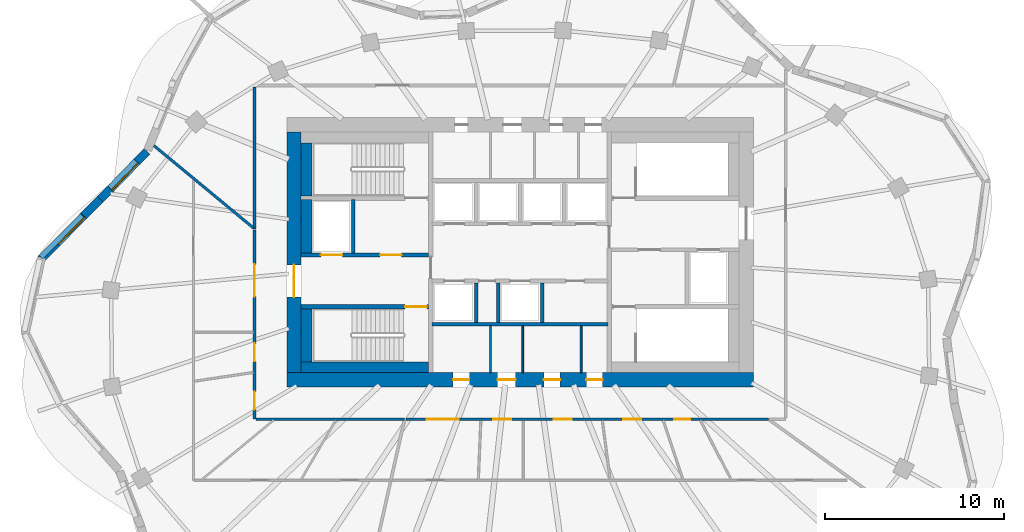
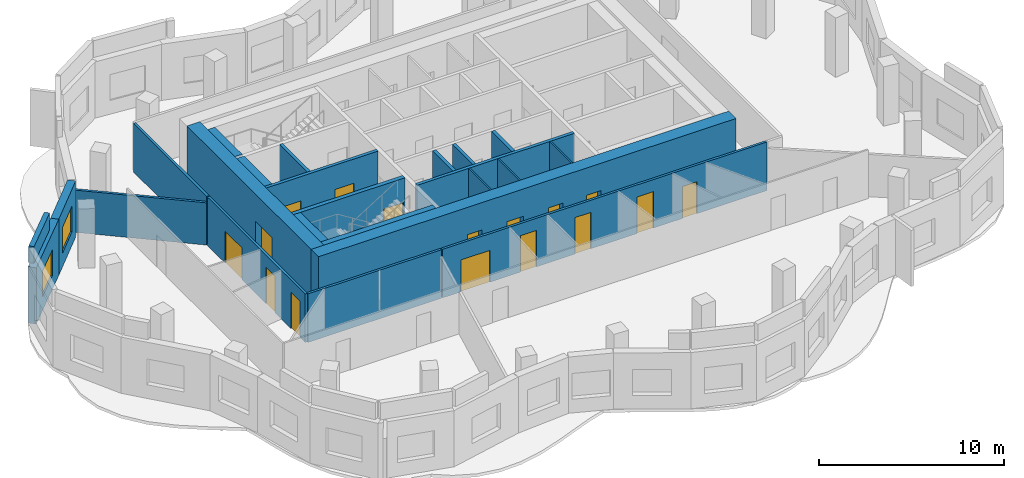
# One storey, part 4 of 9: 24 walls, 16 doors, 2 windows, 18 openings.
"""IFC4 building model written with IfcOpenShell, lengths in metres."""

from ifc_helpers import new_model, si_unit, direction, frame, frame_2d, origin, place, context, subcontext, project, spatial, rectangle, extrude, material, layer, layer_set, type_object, element, fill, save


model = new_model("IFC4")

# Units and contexts
model_context = context("Model", 3, precision=1e-05, world=origin(), true_north=direction((0.0, 1.0)))
body_context = subcontext(model_context, "Body", "Model", "MODEL_VIEW")
ifc_project = project(units=[si_unit("LENGTHUNIT", "METRE"), si_unit("AREAUNIT", "SQUARE_METRE"), si_unit("VOLUMEUNIT", "CUBIC_METRE"), si_unit("PLANEANGLEUNIT", "RADIAN"), si_unit("MASSUNIT", "GRAM", prefix="KILO")], contexts=[model_context])

# Site, building, storey
site_placement = place(None, origin())
site = spatial("IfcSite", under=ifc_project, at=site_placement, CompositionType="ELEMENT")
building_placement = place(site_placement, origin())
building = spatial("IfcBuilding", under=site, at=building_placement, Name="Rubra Terraces Tower", CompositionType="ELEMENT")
storey_placement = place(building_placement, frame((0.0, 0.0, 303.89990234375)))
storey = spatial("IfcBuildingStorey", under=building, at=storey_placement, Name="L75", CompositionType="ELEMENT", Elevation=303.89990234375)

# Wall, opening, window
ifc_material_1 = material(Name="Brick masonry red-brown", Category="masonry")
ifc_layer_1 = layer(ifc_material_1, 0.449951171875)
ifc_layer_set_1 = layer_set([ifc_layer_1], Name="Brick masonry red-brown")
wall_type_1 = type_object("IfcWallType", Name="Brick facade wall 450", PredefinedType="SOLIDWALL", material=ifc_layer_set_1)
wall_1_placement = place(storey_placement, frame((-20.795654296875, 10.1240234375, 0.0), z_axis=(0.0, 0.0, 1.0), x_axis=(-0.697121527554, -0.716952980203, 0.0)))
wall_1 = element("IfcWall", 1, at=wall_1_placement, inside=storey, type_object=wall_type_1, Name="Facade wall L75 bay 18", PredefinedType="SOLIDWALL", context=body_context, shape_type="SweptSolid", body=[
    extrude(rectangle(XDim=3.7177734375, YDim=0.449951171875, at=frame_2d((1.85888671875, 0.0))), origin(), (0.0, 0.0, 1.0), 3.7001953125),
])
opening_1_placement = place(wall_1_placement, frame((0.808837890625, 0.0, 0.89990234375)))
opening_1 = element("IfcOpeningElement", 2, at=opening_1_placement, cuts=wall_1, Name="Opening W1Y", PredefinedType="OPENING", context=body_context, shape_type="SweptSolid", body=[
    extrude(rectangle(XDim=2.10009765625, YDim=1.699951171875, at=frame_2d((1.050048828125, 0.85009765625))), frame((0.0, 0.23486328125, 0.0), z_axis=(0.0, -1.0, 0.0), x_axis=(1.0, 0.0, 0.0)), (0.0, 0.0, 1.0), 0.469970703125),
])
ifc_material_2 = material(Name="Clear glass in aluminium frame", Category="aluminium")
window_type = type_object("IfcWindowType", Name="Fixed deep-set window under crown ring girder 2100 x 1700", PartitioningType="SINGLE_PANEL", PredefinedType="WINDOW", material=ifc_material_2)
window_1_placement = place(opening_1_placement, origin())
window_1 = element("IfcWindow", 3, at=window_1_placement, inside=storey, type_object=window_type, Name="Window L75 bay 18", OverallHeight=1.699951171875, OverallWidth=2.10009765625, PartitioningType="SINGLE_PANEL", PredefinedType="WINDOW", context=body_context, shape_type="SweptSolid", body=[
    extrude(rectangle(XDim=2.10009765625, YDim=1.699951171875, at=frame_2d((1.050048828125, 0.85009765625))), frame((0.0, 0.135009765625, 0.0), z_axis=(0.0, -1.0, 0.0), x_axis=(1.0, 0.0, 0.0)), (0.0, 0.0, 1.0), 0.06005859375),
])
fill(opening_1, window_1)

wall_2_placement = place(storey_placement, frame((-23.389892578125, 7.45556640625, 0.0), z_axis=(0.0, 0.0, 1.0), x_axis=(-0.705349231702, -0.708859973011, 0.0)))
wall_2 = element("IfcWall", 4, at=wall_2_placement, inside=storey, type_object=wall_type_1, Name="Facade wall L75 bay 19", PredefinedType="SOLIDWALL", context=body_context, shape_type="SweptSolid", body=[
    extrude(rectangle(XDim=4.728759765625, YDim=0.449951171875, at=frame_2d((2.3642578125, 0.0))), origin(), (0.0, 0.0, 1.0), 3.7001953125),
])
opening_2_placement = place(wall_2_placement, frame((1.314453125, 0.0, 0.89990234375)))
opening_2 = element("IfcOpeningElement", 5, at=opening_2_placement, cuts=wall_2, Name="Opening W1Y", PredefinedType="OPENING", context=body_context, shape_type="SweptSolid", body=[
    extrude(rectangle(XDim=2.10009765625, YDim=1.699951171875, at=frame_2d((1.050048828125, 0.85009765625))), frame((0.0, 0.23486328125, 0.0), z_axis=(0.0, -1.0, 0.0), x_axis=(1.0, 0.0, 0.0)), (0.0, 0.0, 1.0), 0.469970703125),
])
window_2_placement = place(opening_2_placement, origin())
window_2 = element("IfcWindow", 6, at=window_2_placement, inside=storey, type_object=window_type, Name="Window L75 bay 19", OverallHeight=1.699951171875, OverallWidth=2.10009765625, PartitioningType="SINGLE_PANEL", PredefinedType="WINDOW", context=body_context, shape_type="SweptSolid", body=[
    extrude(rectangle(XDim=2.10009765625, YDim=1.699951171875, at=frame_2d((1.050048828125, 0.85009765625))), frame((0.0, 0.135009765625, 0.0), z_axis=(0.0, -1.0, 0.0), x_axis=(1.0, 0.0, 0.0)), (0.0, 0.0, 1.0), 0.06005859375),
])
fill(opening_2, window_2)

# Wall
ifc_layer_2 = layer(ifc_material_1, 0.300048828125)
ifc_layer_set_2 = layer_set([ifc_layer_2], Name="Brick masonry red-brown")
wall_type_2 = type_object("IfcWallType", Name="Brick parapet 300", PredefinedType="PARAPET", material=ifc_layer_set_2)
wall_3_placement = place(storey_placement, frame((-24.392333984375, 6.5546875, 3.900146484375), z_axis=(0.0, 0.0, 1.0), x_axis=(-0.705312482078, -0.708896538731, 0.0)))
element("IfcWall", 7, at=wall_3_placement, inside=storey, type_object=wall_type_2, Name="Parapet L75 bay 19", PredefinedType="PARAPET", context=body_context, shape_type="SweptSolid", body=[
    extrude(rectangle(XDim=3.269775390625, YDim=0.300048828125, at=frame_2d((1.634765625, 0.0))), origin(), (0.0, 0.0, 1.0), 1.099853515625),
])

# Wall, openings, doors
ifc_material_3 = material(Name="Concrete C50", Category="concrete")
ifc_layer_3 = layer(ifc_material_3, 0.800048828125)
ifc_layer_set_3 = layer_set([ifc_layer_3], Name="Concrete C50")
wall_type_3 = type_object("IfcWallType", Name="CORE WALL 800 C50", PredefinedType="SHEAR", material=ifc_layer_set_3)
wall_4_placement = place(storey_placement, frame((-13.0, -2.60009765625, 0.0), z_axis=(0.0, 0.0, 1.0), x_axis=(1.0, 0.0, 0.0)))
wall_4 = element("IfcWall", 8, at=wall_4_placement, inside=storey, type_object=wall_type_3, Name="CORE WALL S L75", PredefinedType="SHEAR", context=body_context, shape_type="SweptSolid", body=[
    extrude(rectangle(XDim=26.0, YDim=0.800048828125, at=frame_2d((13.0, 0.0))), origin(), (0.0, 0.0, 1.0), 3.900146484375),
])
opening_3_placement = place(wall_4_placement, frame((9.27490234375, 0.0, 0.0)))
opening_3 = element("IfcOpeningElement", 9, at=opening_3_placement, cuts=wall_4, Name="Opening L75.C21", PredefinedType="OPENING", context=body_context, shape_type="SweptSolid", body=[
    extrude(rectangle(XDim=0.89990234375, YDim=2.10009765625, at=frame_2d((0.449951171875, 1.050048828125))), frame((0.0, 0.409912109375, 0.0), z_axis=(0.0, -1.0, 0.0), x_axis=(1.0, 0.0, 0.0)), (0.0, 0.0, 1.0), 0.820068359375),
])
opening_4_placement = place(wall_4_placement, frame((11.75, 0.0, 0.0)))
opening_4 = element("IfcOpeningElement", 10, at=opening_4_placement, cuts=wall_4, Name="Opening L75.C22", PredefinedType="OPENING", context=body_context, shape_type="SweptSolid", body=[
    extrude(rectangle(XDim=1.0, YDim=2.10009765625, at=frame_2d((0.5, 1.050048828125))), frame((0.0, 0.409912109375, 0.0), z_axis=(0.0, -1.0, 0.0), x_axis=(1.0, 0.0, 0.0)), (0.0, 0.0, 1.0), 0.820068359375),
])
opening_5_placement = place(wall_4_placement, frame((14.324951171875, 0.0, 0.0)))
opening_5 = element("IfcOpeningElement", 11, at=opening_5_placement, cuts=wall_4, Name="Opening L75.C23", PredefinedType="OPENING", context=body_context, shape_type="SweptSolid", body=[
    extrude(rectangle(XDim=0.89990234375, YDim=2.10009765625, at=frame_2d((0.449951171875, 1.050048828125))), frame((0.0, 0.409912109375, 0.0), z_axis=(0.0, -1.0, 0.0), x_axis=(1.0, 0.0, 0.0)), (0.0, 0.0, 1.0), 0.820068359375),
])
opening_6_placement = place(wall_4_placement, frame((16.699951171875, 0.0, 0.0)))
opening_6 = element("IfcOpeningElement", 12, at=opening_6_placement, cuts=wall_4, Name="Opening L75.C24", PredefinedType="OPENING", context=body_context, shape_type="SweptSolid", body=[
    extrude(rectangle(XDim=0.89990234375, YDim=2.10009765625, at=frame_2d((0.449951171875, 1.050048828125))), frame((0.0, 0.409912109375, 0.0), z_axis=(0.0, -1.0, 0.0), x_axis=(1.0, 0.0, 0.0)), (0.0, 0.0, 1.0), 0.820068359375),
])
ifc_material_4 = material(Name="Painted steel", Category="steel")
door_type_1 = type_object("IfcDoorType", Name="Fire door 1000x2100 single", OperationType="NOTDEFINED", PredefinedType="DOOR", material=ifc_material_4)
door_1_placement = place(opening_4_placement, origin())
door_1 = element("IfcDoor", 13, at=door_1_placement, inside=storey, type_object=door_type_1, Name="Accessible WC door", OperationType="SINGLE_SWING_RIGHT", OverallHeight=2.10009765625, OverallWidth=1.0, PredefinedType="DOOR", context=body_context, shape_type="SweptSolid", body=[
    extrude(rectangle(XDim=1.0, YDim=2.10009765625, at=frame_2d((0.5, 1.050048828125))), frame((0.0, 0.02490234375, 0.0), z_axis=(0.0, -1.0, 0.0), x_axis=(1.0, 0.0, 0.0)), (0.0, 0.0, 1.0), 0.050048828125),
])
fill(opening_4, door_1)
door_type_2 = type_object("IfcDoorType", Name="Fire door 900x2100 single", OperationType="NOTDEFINED", PredefinedType="DOOR", material=ifc_material_4)
door_2_placement = place(opening_3_placement, origin())
door_2 = element("IfcDoor", 14, at=door_2_placement, inside=storey, type_object=door_type_2, Name="Gents WC door", OperationType="SINGLE_SWING_LEFT", OverallHeight=2.10009765625, OverallWidth=0.89990234375, PredefinedType="DOOR", context=body_context, shape_type="SweptSolid", body=[
    extrude(rectangle(XDim=0.89990234375, YDim=2.10009765625, at=frame_2d((0.449951171875, 1.050048828125))), frame((0.0, 0.02490234375, 0.0), z_axis=(0.0, -1.0, 0.0), x_axis=(1.0, 0.0, 0.0)), (0.0, 0.0, 1.0), 0.050048828125),
])
fill(opening_3, door_2)
door_3_placement = place(opening_5_placement, origin())
door_3 = element("IfcDoor", 15, at=door_3_placement, inside=storey, type_object=door_type_2, Name="Ladies WC door", OperationType="SINGLE_SWING_LEFT", OverallHeight=2.10009765625, OverallWidth=0.89990234375, PredefinedType="DOOR", context=body_context, shape_type="SweptSolid", body=[
    extrude(rectangle(XDim=0.89990234375, YDim=2.10009765625, at=frame_2d((0.449951171875, 1.050048828125))), frame((0.0, 0.02490234375, 0.0), z_axis=(0.0, -1.0, 0.0), x_axis=(1.0, 0.0, 0.0)), (0.0, 0.0, 1.0), 0.050048828125),
])
fill(opening_5, door_3)
door_4_placement = place(opening_6_placement, origin())
door_4 = element("IfcDoor", 16, at=door_4_placement, inside=storey, type_object=door_type_2, Name="Cleaner's store door", OperationType="SINGLE_SWING_RIGHT", OverallHeight=2.10009765625, OverallWidth=0.89990234375, PredefinedType="DOOR", context=body_context, shape_type="SweptSolid", body=[
    extrude(rectangle(XDim=0.89990234375, YDim=2.10009765625, at=frame_2d((0.449951171875, 1.050048828125))), frame((0.0, 0.02490234375, 0.0), z_axis=(0.0, -1.0, 0.0), x_axis=(1.0, 0.0, 0.0)), (0.0, 0.0, 1.0), 0.050048828125),
])
fill(opening_6, door_4)

# Wall, opening, door
wall_5_placement = place(storey_placement, frame((-12.60009765625, -2.199951171875, 0.0), z_axis=(0.0, 0.0, 1.0), x_axis=(0.0, 1.0, 0.0)))
wall_5 = element("IfcWall", 17, at=wall_5_placement, inside=storey, type_object=wall_type_3, Name="CORE WALL W L75", PredefinedType="SHEAR", context=body_context, shape_type="SweptSolid", body=[
    extrude(rectangle(XDim=13.39990234375, YDim=0.800048828125, at=frame_2d((6.699951171875, 0.0))), origin(), (0.0, 0.0, 1.0), 3.900146484375),
])
opening_7_placement = place(wall_5_placement, frame((4.199951171875, 0.0, 0.0)))
opening_7 = element("IfcOpeningElement", 18, at=opening_7_placement, cuts=wall_5, Name="Opening L75.C01", PredefinedType="OPENING", context=body_context, shape_type="SweptSolid", body=[
    extrude(rectangle(XDim=1.800048828125, YDim=2.10009765625, at=frame_2d((0.89990234375, 1.050048828125))), frame((0.0, 0.409912109375, 0.0), z_axis=(0.0, -1.0, 0.0), x_axis=(1.0, 0.0, 0.0)), (0.0, 0.0, 1.0), 0.820068359375),
])
door_type_3 = type_object("IfcDoorType", Name="Fire door 1800x2100 double", OperationType="NOTDEFINED", PredefinedType="DOOR", material=ifc_material_4)
door_5_placement = place(opening_7_placement, origin())
door_5 = element("IfcDoor", 19, at=door_5_placement, inside=storey, type_object=door_type_3, Name="Core entrance door FF1", OperationType="DOUBLE_DOOR_SINGLE_SWING", OverallHeight=2.10009765625, OverallWidth=1.800048828125, PredefinedType="DOOR", context=body_context, shape_type="SweptSolid", body=[
    extrude(rectangle(XDim=1.800048828125, YDim=2.10009765625, at=frame_2d((0.89990234375, 1.050048828125))), frame((0.0, 0.02490234375, 0.0), z_axis=(0.0, -1.0, 0.0), x_axis=(1.0, 0.0, 0.0)), (0.0, 0.0, 1.0), 0.050048828125),
])
fill(opening_7, door_5)

# Wall
ifc_material_5 = material(Name="Plasterboard on steel stud, mineral wool infill", Category="steel")
ifc_layer_4 = layer(ifc_material_5, 0.14990234375)
ifc_layer_set_4 = layer_set([ifc_layer_4], Name="Plasterboard on steel stud, mineral wool infill")
wall_type_4 = type_object("IfcWallType", Name="CORRIDOR PARTITION 150", PredefinedType="PARTITIONING", material=ifc_layer_set_4)
wall_6_placement = place(storey_placement, frame((-14.800048828125, 13.72509765625, 0.0), z_axis=(0.0, 0.0, 1.0), x_axis=(0.0, -1.0, 0.0)))
element("IfcWall", 20, at=wall_6_placement, inside=storey, type_object=wall_type_4, Name="PARTITION", PredefinedType="PARTITIONING", context=body_context, shape_type="SweptSolid", body=[
    extrude(rectangle(XDim=7.916259765625, YDim=0.14990234375, at=frame_2d((3.9580078125, 0.0))), origin(), (0.0, 0.0, 1.0), 3.197998046875),
])

# Wall, openings, doors
wall_7_placement = place(storey_placement, frame((-14.800048828125, 5.73388671875, 0.0), z_axis=(0.0, 0.0, 1.0), x_axis=(0.0, -1.0, 0.0)))
wall_7 = element("IfcWall", 21, at=wall_7_placement, inside=storey, type_object=wall_type_4, Name="PARTITION", PredefinedType="PARTITIONING", context=body_context, shape_type="SweptSolid", body=[
    extrude(rectangle(XDim=10.533935546875, YDim=0.14990234375, at=frame_2d((5.26708984375, 0.0))), origin(), (0.0, 0.0, 1.0), 3.197998046875),
])
opening_8_placement = place(wall_7_placement, frame((1.907958984375, 0.0, 0.0)))
opening_8 = element("IfcOpeningElement", 22, at=opening_8_placement, cuts=wall_7, Name="Opening 75-102", PredefinedType="OPENING", context=body_context, shape_type="SweptSolid", body=[
    extrude(rectangle(XDim=1.800048828125, YDim=2.10009765625, at=frame_2d((0.89990234375, 1.050048828125))), frame((0.0, 0.0849609375, 0.0), z_axis=(0.0, -1.0, 0.0), x_axis=(1.0, 0.0, 0.0)), (0.0, 0.0, 1.0), 0.169921875),
])
opening_9_placement = place(wall_7_placement, frame((6.305908203125, 0.0, 0.0)))
opening_9 = element("IfcOpeningElement", 23, at=opening_9_placement, cuts=wall_7, Name="Opening 75-104", PredefinedType="OPENING", context=body_context, shape_type="SweptSolid", body=[
    extrude(rectangle(XDim=1.0, YDim=2.39990234375, at=frame_2d((0.5, 1.199951171875))), frame((0.0, 0.0849609375, 0.0), z_axis=(0.0, -1.0, 0.0), x_axis=(1.0, 0.0, 0.0)), (0.0, 0.0, 1.0), 0.169921875),
])
opening_10_placement = place(wall_7_placement, frame((9.0, 0.0, 0.0)))
opening_10 = element("IfcOpeningElement", 24, at=opening_10_placement, cuts=wall_7, Name="Opening 75-105", PredefinedType="OPENING", context=body_context, shape_type="SweptSolid", body=[
    extrude(rectangle(XDim=1.0, YDim=2.39990234375, at=frame_2d((0.5, 1.199951171875))), frame((0.0, 0.0849609375, 0.0), z_axis=(0.0, -1.0, 0.0), x_axis=(1.0, 0.0, 0.0)), (0.0, 0.0, 1.0), 0.169921875),
])
ifc_material_6 = material(Name="Glazed aluminium meeting door leaf", Category="aluminium")
door_type_4 = type_object("IfcDoorType", Name="MEETING ROOM GLAZED DOOR 1000 X 2400", OperationType="SINGLE_SWING_LEFT", PredefinedType="DOOR", material=ifc_material_6)
door_6_placement = place(opening_9_placement, origin())
door_6 = element("IfcDoor", 25, at=door_6_placement, inside=storey, type_object=door_type_4, Name="DOOR 75-104", OperationType="SINGLE_SWING_RIGHT", OverallHeight=2.39990234375, OverallWidth=1.0, PredefinedType="DOOR", context=body_context, shape_type="SweptSolid", body=[
    extrude(rectangle(XDim=1.0, YDim=2.39990234375, at=frame_2d((0.5, 1.199951171875))), frame((0.0, 0.02490234375, 0.0), z_axis=(0.0, -1.0, 0.0), x_axis=(1.0, 0.0, 0.0)), (0.0, 0.0, 1.0), 0.050048828125),
])
fill(opening_9, door_6)
door_7_placement = place(opening_10_placement, origin())
door_7 = element("IfcDoor", 26, at=door_7_placement, inside=storey, type_object=door_type_4, Name="DOOR 75-105", OperationType="SINGLE_SWING_RIGHT", OverallHeight=2.39990234375, OverallWidth=1.0, PredefinedType="DOOR", context=body_context, shape_type="SweptSolid", body=[
    extrude(rectangle(XDim=1.0, YDim=2.39990234375, at=frame_2d((0.5, 1.199951171875))), frame((0.0, 0.02490234375, 0.0), z_axis=(0.0, -1.0, 0.0), x_axis=(1.0, 0.0, 0.0)), (0.0, 0.0, 1.0), 0.050048828125),
])
fill(opening_10, door_7)
ifc_material_7 = material(Name="Painted timber door leaf, double", Category="wood")
door_type_5 = type_object("IfcDoorType", Name="ROOM DOUBLE DOOR 1800 X 2100", OperationType="DOUBLE_DOOR_SINGLE_SWING", PredefinedType="DOOR", material=ifc_material_7)
door_8_placement = place(opening_8_placement, origin())
door_8 = element("IfcDoor", 27, at=door_8_placement, inside=storey, type_object=door_type_5, Name="DOOR 75-102", OperationType="DOUBLE_DOOR_SINGLE_SWING", OverallHeight=2.10009765625, OverallWidth=1.800048828125, PredefinedType="DOOR", context=body_context, shape_type="SweptSolid", body=[
    extrude(rectangle(XDim=1.800048828125, YDim=2.10009765625, at=frame_2d((0.89990234375, 1.050048828125))), frame((0.0, 0.02490234375, 0.0), z_axis=(0.0, -1.0, 0.0), x_axis=(1.0, 0.0, 0.0)), (0.0, 0.0, 1.0), 0.050048828125),
])
fill(opening_8, door_8)

# Wall
wall_8_placement = place(storey_placement, frame((-14.72509765625, -4.800048828125, 0.0), z_axis=(0.0, 0.0, 1.0), x_axis=(1.0, 0.0, 0.0)))
element("IfcWall", 28, at=wall_8_placement, inside=storey, type_object=wall_type_4, Name="PARTITION", PredefinedType="PARTITIONING", context=body_context, shape_type="SweptSolid", body=[
    extrude(rectangle(XDim=8.288330078125, YDim=0.14990234375, at=frame_2d((4.14404296875, 0.0))), origin(), (0.0, 0.0, 1.0), 3.197998046875),
])

# Wall, openings, doors
wall_9_placement = place(storey_placement, frame((-6.36181640625, -4.800048828125, 0.0), z_axis=(0.0, 0.0, 1.0), x_axis=(1.0, 0.0, 0.0)))
wall_9 = element("IfcWall", 29, at=wall_9_placement, inside=storey, type_object=wall_type_4, Name="PARTITION", PredefinedType="PARTITIONING", context=body_context, shape_type="SweptSolid", body=[
    extrude(rectangle(XDim=20.197265625, YDim=0.14990234375, at=frame_2d((10.0986328125, 0.0))), origin(), (0.0, 0.0, 1.0), 3.197998046875),
])
opening_11_placement = place(wall_9_placement, frame((1.152099609375, 0.0, 0.0)))
opening_11 = element("IfcOpeningElement", 30, at=opening_11_placement, cuts=wall_9, Name="Opening 75-108", PredefinedType="OPENING", context=body_context, shape_type="SweptSolid", body=[
    extrude(rectangle(XDim=1.800048828125, YDim=2.10009765625, at=frame_2d((0.89990234375, 1.050048828125))), frame((0.0, 0.0849609375, 0.0), z_axis=(0.0, -1.0, 0.0), x_axis=(1.0, 0.0, 0.0)), (0.0, 0.0, 1.0), 0.169921875),
])
opening_12_placement = place(wall_9_placement, frame((4.85693359375, 0.0, 0.0)))
opening_12 = element("IfcOpeningElement", 31, at=opening_12_placement, cuts=wall_9, Name="Opening 75-110", PredefinedType="OPENING", context=body_context, shape_type="SweptSolid", body=[
    extrude(rectangle(XDim=1.0, YDim=2.39990234375, at=frame_2d((0.5, 1.199951171875))), frame((0.0, 0.0849609375, 0.0), z_axis=(0.0, -1.0, 0.0), x_axis=(1.0, 0.0, 0.0)), (0.0, 0.0, 1.0), 0.169921875),
])
opening_13_placement = place(wall_9_placement, frame((8.235107421875, 0.0, 0.0)))
opening_13 = element("IfcOpeningElement", 32, at=opening_13_placement, cuts=wall_9, Name="Opening 75-111", PredefinedType="OPENING", context=body_context, shape_type="SweptSolid", body=[
    extrude(rectangle(XDim=1.0, YDim=2.39990234375, at=frame_2d((0.5, 1.199951171875))), frame((0.0, 0.0849609375, 0.0), z_axis=(0.0, -1.0, 0.0), x_axis=(1.0, 0.0, 0.0)), (0.0, 0.0, 1.0), 0.169921875),
])
opening_14_placement = place(wall_9_placement, frame((12.123046875, 0.0, 0.0)))
opening_14 = element("IfcOpeningElement", 33, at=opening_14_placement, cuts=wall_9, Name="Opening 75-112", PredefinedType="OPENING", context=body_context, shape_type="SweptSolid", body=[
    extrude(rectangle(XDim=1.0, YDim=2.39990234375, at=frame_2d((0.5, 1.199951171875))), frame((0.0, 0.0849609375, 0.0), z_axis=(0.0, -1.0, 0.0), x_axis=(1.0, 0.0, 0.0)), (0.0, 0.0, 1.0), 0.169921875),
])
opening_15_placement = place(wall_9_placement, frame((14.949951171875, 0.0, 0.0)))
opening_15 = element("IfcOpeningElement", 34, at=opening_15_placement, cuts=wall_9, Name="Opening 75-116", PredefinedType="OPENING", context=body_context, shape_type="SweptSolid", body=[
    extrude(rectangle(XDim=0.89990234375, YDim=2.10009765625, at=frame_2d((0.449951171875, 1.050048828125))), frame((0.0, 0.0849609375, 0.0), z_axis=(0.0, -1.0, 0.0), x_axis=(1.0, 0.0, 0.0)), (0.0, 0.0, 1.0), 0.169921875),
])
ifc_material_8 = material(Name="Painted timber door leaf", Category="wood")
door_type_6 = type_object("IfcDoorType", Name="BATHROOM DOOR 900 X 2100", OperationType="SINGLE_SWING_LEFT", PredefinedType="DOOR", material=ifc_material_8)
door_9_placement = place(opening_15_placement, origin())
door_9 = element("IfcDoor", 35, at=door_9_placement, inside=storey, type_object=door_type_6, Name="DOOR 75-116", OperationType="SINGLE_SWING_RIGHT", OverallHeight=2.10009765625, OverallWidth=0.89990234375, PredefinedType="DOOR", context=body_context, shape_type="SweptSolid", body=[
    extrude(rectangle(XDim=0.89990234375, YDim=2.10009765625, at=frame_2d((0.449951171875, 1.050048828125))), frame((0.0, 0.02490234375, 0.0), z_axis=(0.0, -1.0, 0.0), x_axis=(1.0, 0.0, 0.0)), (0.0, 0.0, 1.0), 0.050048828125),
])
fill(opening_15, door_9)
door_10_placement = place(opening_12_placement, origin())
door_10 = element("IfcDoor", 36, at=door_10_placement, inside=storey, type_object=door_type_4, Name="DOOR 75-110", OperationType="SINGLE_SWING_RIGHT", OverallHeight=2.39990234375, OverallWidth=1.0, PredefinedType="DOOR", context=body_context, shape_type="SweptSolid", body=[
    extrude(rectangle(XDim=1.0, YDim=2.39990234375, at=frame_2d((0.5, 1.199951171875))), frame((0.0, 0.02490234375, 0.0), z_axis=(0.0, -1.0, 0.0), x_axis=(1.0, 0.0, 0.0)), (0.0, 0.0, 1.0), 0.050048828125),
])
fill(opening_12, door_10)
door_11_placement = place(opening_13_placement, origin())
door_11 = element("IfcDoor", 37, at=door_11_placement, inside=storey, type_object=door_type_4, Name="DOOR 75-111", OperationType="SINGLE_SWING_RIGHT", OverallHeight=2.39990234375, OverallWidth=1.0, PredefinedType="DOOR", context=body_context, shape_type="SweptSolid", body=[
    extrude(rectangle(XDim=1.0, YDim=2.39990234375, at=frame_2d((0.5, 1.199951171875))), frame((0.0, 0.02490234375, 0.0), z_axis=(0.0, -1.0, 0.0), x_axis=(1.0, 0.0, 0.0)), (0.0, 0.0, 1.0), 0.050048828125),
])
fill(opening_13, door_11)
door_12_placement = place(opening_14_placement, origin())
door_12 = element("IfcDoor", 38, at=door_12_placement, inside=storey, type_object=door_type_4, Name="DOOR 75-112", OperationType="SINGLE_SWING_RIGHT", OverallHeight=2.39990234375, OverallWidth=1.0, PredefinedType="DOOR", context=body_context, shape_type="SweptSolid", body=[
    extrude(rectangle(XDim=1.0, YDim=2.39990234375, at=frame_2d((0.5, 1.199951171875))), frame((0.0, 0.02490234375, 0.0), z_axis=(0.0, -1.0, 0.0), x_axis=(1.0, 0.0, 0.0)), (0.0, 0.0, 1.0), 0.050048828125),
])
fill(opening_14, door_12)
door_13_placement = place(opening_11_placement, origin())
door_13 = element("IfcDoor", 39, at=door_13_placement, inside=storey, type_object=door_type_5, Name="DOOR 75-108", OperationType="DOUBLE_DOOR_SINGLE_SWING", OverallHeight=2.10009765625, OverallWidth=1.800048828125, PredefinedType="DOOR", context=body_context, shape_type="SweptSolid", body=[
    extrude(rectangle(XDim=1.800048828125, YDim=2.10009765625, at=frame_2d((0.89990234375, 1.050048828125))), frame((0.0, 0.02490234375, 0.0), z_axis=(0.0, -1.0, 0.0), x_axis=(1.0, 0.0, 0.0)), (0.0, 0.0, 1.0), 0.050048828125),
])
fill(opening_11, door_13)

# Walls
ifc_material_9 = material(Name="Concrete C40", Category="concrete")
ifc_layer_5 = layer(ifc_material_9, 0.60009765625)
ifc_layer_set_5 = layer_set([ifc_layer_5], Name="Concrete C40")
wall_type_5 = type_object("IfcWallType", Name="Core lining wall 600 concrete", PredefinedType="SOLIDWALL", material=ifc_layer_set_5)
wall_10_placement = place(storey_placement, frame((-12.199951171875, -1.89990234375, 0.0), z_axis=(0.0, 0.0, 1.0), x_axis=(1.0, 0.0, 0.0)))
element("IfcWall", 40, at=wall_10_placement, inside=storey, type_object=wall_type_5, Name="CORE LINING WALL L75", PredefinedType="SOLIDWALL", context=body_context, shape_type="SweptSolid", body=[
    extrude(rectangle(XDim=7.099853515625, YDim=0.60009765625, at=frame_2d((3.5498046875, 0.0))), origin(), (0.0, 0.0, 1.0), 3.7001953125),
])
wall_11_placement = place(storey_placement, frame((-11.89990234375, -1.60009765625, 0.0), z_axis=(0.0, 0.0, 1.0), x_axis=(0.0, 1.0, 0.0)))
element("IfcWall", 41, at=wall_11_placement, inside=storey, type_object=wall_type_5, Name="CORE LINING WALL L75", PredefinedType="SOLIDWALL", context=body_context, shape_type="SweptSolid", body=[
    extrude(rectangle(XDim=2.9501953125, YDim=0.60009765625, at=frame_2d((1.47509765625, 0.0))), origin(), (0.0, 0.0, 1.0), 3.7001953125),
])
wall_12_placement = place(storey_placement, frame((-11.89990234375, 4.449951171875, 0.0), z_axis=(0.0, 0.0, 1.0), x_axis=(0.0, 1.0, 0.0)))
element("IfcWall", 42, at=wall_12_placement, inside=storey, type_object=wall_type_5, Name="CORE LINING WALL L75", PredefinedType="SOLIDWALL", context=body_context, shape_type="SweptSolid", body=[
    extrude(rectangle(XDim=3.0, YDim=0.60009765625, at=frame_2d((1.5, 0.0))), origin(), (0.0, 0.0, 1.0), 3.7001953125),
])
wall_13_placement = place(storey_placement, frame((-11.89990234375, 7.64990234375, 0.0), z_axis=(0.0, 0.0, 1.0), x_axis=(0.0, 1.0, 0.0)))
element("IfcWall", 43, at=wall_13_placement, inside=storey, type_object=wall_type_5, Name="CORE LINING WALL L75", PredefinedType="SOLIDWALL", context=body_context, shape_type="SweptSolid", body=[
    extrude(rectangle(XDim=2.9501953125, YDim=0.60009765625, at=frame_2d((1.47509765625, 0.0))), origin(), (0.0, 0.0, 1.0), 3.7001953125),
])

# Wall, openings, doors
ifc_material_10 = material(Name="Concrete C30", Category="concrete")
ifc_layer_6 = layer(ifc_material_10, 0.199951171875)
ifc_layer_set_6 = layer_set([ifc_layer_6], Name="Concrete C30")
wall_type_6 = type_object("IfcWallType", Name="Core wall 200 concrete", PredefinedType="SOLIDWALL", material=ifc_layer_set_6)
wall_14_placement = place(storey_placement, frame((-12.199951171875, 4.35009765625, 0.0), z_axis=(0.0, 0.0, 1.0), x_axis=(1.0, 0.0, 0.0)))
wall_14 = element("IfcWall", 44, at=wall_14_placement, inside=storey, type_object=wall_type_6, Name="STAIR WALL L75", PredefinedType="SOLIDWALL", context=body_context, shape_type="SweptSolid", body=[
    extrude(rectangle(XDim=7.099853515625, YDim=0.199951171875, at=frame_2d((3.5498046875, 0.0))), origin(), (0.0, 0.0, 1.0), 3.7001953125),
])
opening_16_placement = place(wall_14_placement, frame((4.39990234375, 0.0, 0.0)))
opening_16 = element("IfcOpeningElement", 45, at=opening_16_placement, cuts=wall_14, Name="Opening L75.C05", PredefinedType="OPENING", context=body_context, shape_type="SweptSolid", body=[
    extrude(rectangle(XDim=1.199951171875, YDim=2.10009765625, at=frame_2d((0.60009765625, 1.050048828125))), frame((0.0, 0.10986328125, 0.0), z_axis=(0.0, -1.0, 0.0), x_axis=(1.0, 0.0, 0.0)), (0.0, 0.0, 1.0), 0.219970703125),
])
opening_17_placement = place(wall_14_placement, frame((1.10009765625, 0.0, 0.0)))
opening_17 = element("IfcOpeningElement", 46, at=opening_17_placement, cuts=wall_14, Name="Opening L75.C11", PredefinedType="OPENING", context=body_context, shape_type="SweptSolid", body=[
    extrude(rectangle(XDim=1.199951171875, YDim=2.10009765625, at=frame_2d((0.60009765625, 1.050048828125))), frame((0.0, 0.10986328125, 0.0), z_axis=(0.0, -1.0, 0.0), x_axis=(1.0, 0.0, 0.0)), (0.0, 0.0, 1.0), 0.219970703125),
])
door_type_7 = type_object("IfcDoorType", Name="Fire door 1200x2100 single", OperationType="NOTDEFINED", PredefinedType="DOOR", material=ifc_material_4)
door_14_placement = place(opening_16_placement, origin())
door_14 = element("IfcDoor", 47, at=door_14_placement, inside=storey, type_object=door_type_7, Name="Stair vestibule door S2", OperationType="SINGLE_SWING_LEFT", OverallHeight=2.10009765625, OverallWidth=1.199951171875, PredefinedType="DOOR", context=body_context, shape_type="SweptSolid", body=[
    extrude(rectangle(XDim=1.199951171875, YDim=2.10009765625, at=frame_2d((0.60009765625, 1.050048828125))), frame((0.0, 0.02490234375, 0.0), z_axis=(0.0, -1.0, 0.0), x_axis=(1.0, 0.0, 0.0)), (0.0, 0.0, 1.0), 0.050048828125),
])
fill(opening_16, door_14)
ifc_material_11 = material(Name="Stainless steel", Category="steel")
door_type_8 = type_object("IfcDoorType", Name="Lift landing door 1200x2100", OperationType="NOTDEFINED", PredefinedType="DOOR", material=ifc_material_11)
door_15_placement = place(opening_17_placement, origin())
door_15 = element("IfcDoor", 48, at=door_15_placement, inside=storey, type_object=door_type_8, Name="Landing door FF1", OperationType="SLIDING_TO_RIGHT", OverallHeight=2.10009765625, OverallWidth=1.199951171875, PredefinedType="DOOR", context=body_context, shape_type="SweptSolid", body=[
    extrude(rectangle(XDim=1.199951171875, YDim=2.10009765625, at=frame_2d((0.60009765625, 1.050048828125))), frame((0.0, 0.02490234375, 0.0), z_axis=(0.0, -1.0, 0.0), x_axis=(1.0, 0.0, 0.0)), (0.0, 0.0, 1.0), 0.050048828125),
])
fill(opening_17, door_15)

# Walls
wall_15_placement = place(storey_placement, frame((-9.300048828125, 4.449951171875, 0.0), z_axis=(0.0, 0.0, 1.0), x_axis=(0.0, 1.0, 0.0)))
element("IfcWall", 49, at=wall_15_placement, inside=storey, type_object=wall_type_6, Name="STAIR WALL L75", PredefinedType="SOLIDWALL", context=body_context, shape_type="SweptSolid", body=[
    extrude(rectangle(XDim=3.0, YDim=0.199951171875, at=frame_2d((1.5, 0.0))), origin(), (0.0, 0.0, 1.0), 3.7001953125),
])
wall_16_placement = place(storey_placement, frame((-4.89990234375, 0.5, 0.0), z_axis=(0.0, 0.0, 1.0), x_axis=(1.0, 0.0, 0.0)))
element("IfcWall", 50, at=wall_16_placement, inside=storey, type_object=wall_type_6, Name="LIFT SHAFT WALL L75", PredefinedType="SOLIDWALL", context=body_context, shape_type="SweptSolid", body=[
    extrude(rectangle(XDim=9.7998046875, YDim=0.199951171875, at=frame_2d((4.89990234375, 0.0))), origin(), (0.0, 0.0, 1.0), 3.7001953125),
])
for number, where, z_axis, x_axis, name in (
    (51, (-2.449951171875, 0.60009765625, 0.0), (0.0, 0.0, 1.0), (0.0, 1.0, 0.0), "LIFT SHAFT WALL L75"),
    (52, (-1.22509765625, 0.60009765625, 0.0), (0.0, 0.0, 1.0), (0.0, 1.0, 0.0), "LIFT SHAFT WALL L75"),
    (53, (1.22509765625, 0.60009765625, 0.0), (0.0, 0.0, 1.0), (0.0, 1.0, 0.0), "LIFT SHAFT WALL L75"),
):
    element("IfcWall", number, at=place(storey_placement, frame(where, z_axis=z_axis, x_axis=x_axis)), inside=storey, type_object=wall_type_6, Name=name, PredefinedType="SOLIDWALL", context=body_context, shape_type="SweptSolid", body=[
        extrude(rectangle(XDim=2.199951171875, YDim=0.199951171875, at=frame_2d((1.10009765625, 0.0))), origin(), (0.0, 0.0, 1.0), 3.7001953125),
    ])
ifc_material_12 = material(Name="Plasterboard on steel stud", Category="steel")
ifc_layer_7 = layer(ifc_material_12, 0.14990234375)
ifc_layer_set_7 = layer_set([ifc_layer_7], Name="Plasterboard on steel stud")
wall_type_7 = type_object("IfcWallType", Name="ROOM PARTITION 150", PredefinedType="PARTITIONING", material=ifc_layer_set_7)
wall_17_placement = place(storey_placement, frame((-20.402587890625, 10.4423828125, 0.0), z_axis=(0.0, 0.0, 1.0), x_axis=(0.770599445655, -0.637319774019, 0.0)))
element("IfcWall", 54, at=wall_17_placement, inside=storey, type_object=wall_type_7, Name="PARTITION", PredefinedType="PARTITIONING", context=body_context, shape_type="SweptSolid", body=[
    extrude(rectangle(XDim=7.1953125, YDim=0.14990234375, at=frame_2d((3.59765625, 0.0))), origin(), (0.0, 0.0, 1.0), 2.780029296875),
])
ifc_material_13 = material(Name="Blockwork", Category="masonry")
ifc_layer_8 = layer(ifc_material_13, 0.10009765625)
ifc_layer_set_8 = layer_set([ifc_layer_8], Name="Blockwork")
wall_type_8 = type_object("IfcWallType", Name="Service partition 100 blockwork", PredefinedType="PARTITIONING", material=ifc_layer_set_8)
for number, where, z_axis, x_axis, name in (
    (55, (-1.64990234375, -2.199951171875, 0.0), (0.0, 0.0, 1.0), (0.0, 1.0, 0.0), "SERVICE ROOM PARTITION L75"),
    (56, (0.14990234375, -2.199951171875, 0.0), (0.0, 0.0, 1.0), (0.0, 1.0, 0.0), "SERVICE ROOM PARTITION L75"),
    (57, (3.39990234375, -2.199951171875, 0.0), (0.0, 0.0, 1.0), (0.0, 1.0, 0.0), "SERVICE ROOM PARTITION L75"),
):
    element("IfcWall", number, at=place(storey_placement, frame(where, z_axis=z_axis, x_axis=x_axis)), inside=storey, type_object=wall_type_8, Name=name, PredefinedType="PARTITIONING", context=body_context, shape_type="SweptSolid", body=[
        extrude(rectangle(XDim=2.599853515625, YDim=0.10009765625, at=frame_2d((1.2998046875, 0.0))), origin(), (0.0, 0.0, 1.0), 3.7001953125),
    ])

# Wall, opening, door
ifc_layer_9 = layer(ifc_material_9, 0.25)
ifc_layer_set_9 = layer_set([ifc_layer_9], Name="Concrete C40")
wall_type_9 = type_object("IfcWallType", Name="Stair enclosure wall 250 concrete", PredefinedType="SOLIDWALL", material=ifc_layer_set_9)
wall_18_placement = place(storey_placement, frame((-12.199951171875, 1.47509765625, 0.0), z_axis=(0.0, 0.0, 1.0), x_axis=(1.0, 0.0, 0.0)))
wall_18 = element("IfcWall", 58, at=wall_18_placement, inside=storey, type_object=wall_type_9, Name="STAIR WALL L75", PredefinedType="SOLIDWALL", context=body_context, shape_type="SweptSolid", body=[
    extrude(rectangle(XDim=7.099853515625, YDim=0.25, at=frame_2d((3.5498046875, 0.0))), origin(), (0.0, 0.0, 1.0), 3.7001953125),
])
opening_18_placement = place(wall_18_placement, frame((5.800048828125, 0.0, 0.0)))
opening_18 = element("IfcOpeningElement", 59, at=opening_18_placement, cuts=wall_18, Name="Opening L75.C07", PredefinedType="OPENING", context=body_context, shape_type="SweptSolid", body=[
    extrude(rectangle(XDim=1.199951171875, YDim=2.10009765625, at=frame_2d((0.60009765625, 1.050048828125))), frame((0.0, 0.135009765625, 0.0), z_axis=(0.0, -1.0, 0.0), x_axis=(1.0, 0.0, 0.0)), (0.0, 0.0, 1.0), 0.27001953125),
])
door_16_placement = place(opening_18_placement, origin())
door_16 = element("IfcDoor", 60, at=door_16_placement, inside=storey, type_object=door_type_7, Name="Stair door S1", OperationType="SINGLE_SWING_LEFT", OverallHeight=2.10009765625, OverallWidth=1.199951171875, PredefinedType="DOOR", context=body_context, shape_type="SweptSolid", body=[
    extrude(rectangle(XDim=1.199951171875, YDim=2.10009765625, at=frame_2d((0.60009765625, 1.050048828125))), frame((0.0, 0.02490234375, 0.0), z_axis=(0.0, -1.0, 0.0), x_axis=(1.0, 0.0, 0.0)), (0.0, 0.0, 1.0), 0.050048828125),
])
fill(opening_18, door_16)

save(model, "model.ifc")
